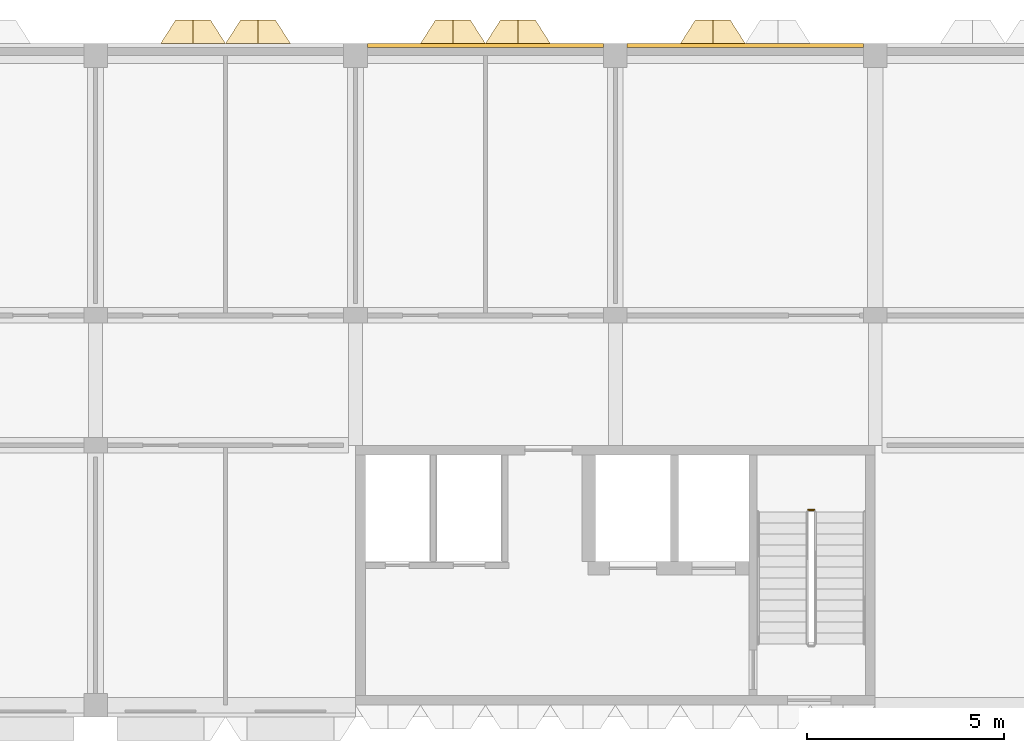
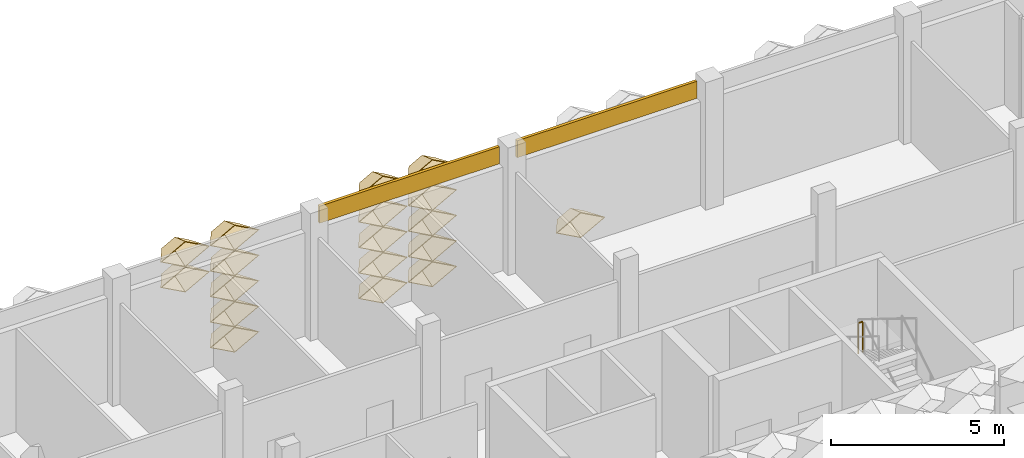
# One storey, part 95 of 102: 20 coverings, 1 railing.
"""IFC4 building model written with IfcOpenShell, lengths in metres."""

from ifc_helpers import new_model, entity, si_unit, direction, frame, frame_2d, origin, origin_2d, place, context, subcontext, project, spatial, rectangle, circle, extrude, material, layer, layer_set, type_object, element, save


model = new_model("IFC4")

# Units and contexts
model_context = context("Model", 3, precision=1e-05, world=origin(), true_north=direction((0.0, 1.0)))
body_context = subcontext(model_context, "Body", "Model", "MODEL_VIEW")
ifc_project = project(units=[si_unit("LENGTHUNIT", "METRE"), si_unit("AREAUNIT", "SQUARE_METRE"), si_unit("VOLUMEUNIT", "CUBIC_METRE"), si_unit("PLANEANGLEUNIT", "RADIAN"), si_unit("MASSUNIT", "GRAM", prefix="KILO")], contexts=[model_context])

# Site, building, storey
site_placement = place(None, origin())
site = spatial("IfcSite", under=ifc_project, at=site_placement, CompositionType="ELEMENT")
building_placement = place(site_placement, origin())
building = spatial("IfcBuilding", under=site, at=building_placement, Name="Lantern Court Research Institute", CompositionType="ELEMENT")
storey_placement = place(building_placement, frame((0.0, 0.0, 9.89990234375)))
storey = spatial("IfcBuildingStorey", under=building, at=storey_placement, Name="L02", CompositionType="ELEMENT", Elevation=9.89990234375)

# Coverings
ifc_material_1 = material(Name="Aluminium composite panel with mineral wool insulation", Category="aluminium")
ifc_layer_1 = layer(ifc_material_1, 0.10009765625)
ifc_layer_set_1 = layer_set([ifc_layer_1], Name="Aluminium composite panel with mineral wool insulation")
covering_type_1 = type_object("IfcCoveringType", Name="Edge fascia panel 100 aluminium faced", PredefinedType="CLADDING", material=ifc_layer_set_1)
for number, where, z_axis, x_axis, name in (
    (1, (39.89990234375, 99.25, 3.650146484375), (0.0, 0.0, 1.0), (1.0, 0.0, 0.0), "Edge fascia V6N L02 06"),
    (2, (46.5, 99.25, 3.650146484375), (0.0, 0.0, 1.0), (1.0, 0.0, 0.0), "Edge fascia V6N L02 07"),
):
    element("IfcCovering", number, at=place(storey_placement, frame(where, z_axis=z_axis, x_axis=x_axis)), inside=storey, type_object=covering_type_1, Name=name, PredefinedType="CLADDING", context=body_context, shape_type="SweptSolid", body=[
        extrude(rectangle(XDim=6.0, YDim=0.10009765625, at=frame_2d((3.0, 0.0))), origin(), (0.0, 0.0, 1.0), 0.599853515625),
    ])
ifc_material_2 = material(Name="Anodised aluminium", Category="aluminium")
ifc_layer_2 = layer(ifc_material_2, 0.01611328125)
ifc_layer_set_2 = layer_set([ifc_layer_2], Name="Anodised aluminium")
covering_type_2 = type_object("IfcCoveringType", Name="Fin cassette 1650 x 900 x 600 aluminium", PredefinedType="CLADDING", material=ifc_layer_set_2)
covering_1_placement = place(storey_placement, frame((37.125, 99.300048828125, 0.4501953125), z_axis=(0.0, 1.0, 0.0), x_axis=(-1.0, 0.0, 0.0)))
cartesian_point_1 = entity("IfcCartesianPoint", [0.824951171875, 0.0])
cartesian_point_2 = entity("IfcCartesianPoint", [0.79150390625, 0.0])
cartesian_point_3 = entity("IfcCartesianPoint", [0.44189453125, 0.0])
cartesian_point_4 = entity("IfcCartesianPoint", [0.43359375, 0.0])
element("IfcCovering", 3, at=covering_1_placement, inside=storey, type_object=covering_type_2, Name="Fin cassette V6N-L02 1.23", PredefinedType="CLADDING", context=body_context, shape_type="SweptSolid", body=[
    entity("IfcExtrudedAreaSolidTapered", entity("IfcArbitraryProfileDefWithVoids", "AREA", None, entity("IfcPolyline", [cartesian_point_1, entity("IfcCartesianPoint", [0.0, 0.449951171875]), entity("IfcCartesianPoint", [-0.824951171875, 0.0]), entity("IfcCartesianPoint", [0.0, -0.449951171875]), cartesian_point_1]), [entity("IfcPolyline", [cartesian_point_2, entity("IfcCartesianPoint", [0.0, 0.431884765625]), entity("IfcCartesianPoint", [-0.79150390625, 0.0]), entity("IfcCartesianPoint", [0.0, -0.431884765625]), cartesian_point_2])]), entity("IfcAxis2Placement3D", entity("IfcCartesianPoint", [0.0, 0.0, 0.0])), entity("IfcDirection", [0.0, 0.0, 1.0]), 0.60009765625, entity("IfcArbitraryProfileDefWithVoids", "AREA", None, entity("IfcPolyline", [cartesian_point_3, entity("IfcCartesianPoint", [0.0, 0.240966796875]), entity("IfcCartesianPoint", [-0.44189453125, 0.0]), entity("IfcCartesianPoint", [0.0, -0.240966796875]), cartesian_point_3]), [entity("IfcPolyline", [cartesian_point_4, entity("IfcCartesianPoint", [0.0, 0.236572265625]), entity("IfcCartesianPoint", [-0.43359375, 0.0]), entity("IfcCartesianPoint", [0.0, -0.236572265625]), cartesian_point_4])])),
])
covering_2_placement = place(storey_placement, frame((42.074951171875, 99.300048828125, 0.4501953125), z_axis=(0.0, 1.0, 0.0), x_axis=(-1.0, 0.0, 0.0)))
cartesian_point_5 = entity("IfcCartesianPoint", [0.824951171875, 0.0])
cartesian_point_6 = entity("IfcCartesianPoint", [0.79150390625, 0.0])
cartesian_point_7 = entity("IfcCartesianPoint", [0.44189453125, 0.0])
cartesian_point_8 = entity("IfcCartesianPoint", [0.43359375, 0.0])
element("IfcCovering", 4, at=covering_2_placement, inside=storey, type_object=covering_type_2, Name="Fin cassette V6N-L02 1.26", PredefinedType="CLADDING", context=body_context, shape_type="SweptSolid", body=[
    entity("IfcExtrudedAreaSolidTapered", entity("IfcArbitraryProfileDefWithVoids", "AREA", None, entity("IfcPolyline", [cartesian_point_5, entity("IfcCartesianPoint", [0.0, 0.449951171875]), entity("IfcCartesianPoint", [-0.824951171875, 0.0]), entity("IfcCartesianPoint", [0.0, -0.449951171875]), cartesian_point_5]), [entity("IfcPolyline", [cartesian_point_6, entity("IfcCartesianPoint", [0.0, 0.431884765625]), entity("IfcCartesianPoint", [-0.79150390625, 0.0]), entity("IfcCartesianPoint", [0.0, -0.431884765625]), cartesian_point_6])]), entity("IfcAxis2Placement3D", entity("IfcCartesianPoint", [0.0, 0.0, 0.0])), entity("IfcDirection", [0.0, 0.0, 1.0]), 0.60009765625, entity("IfcArbitraryProfileDefWithVoids", "AREA", None, entity("IfcPolyline", [cartesian_point_7, entity("IfcCartesianPoint", [0.0, 0.240966796875]), entity("IfcCartesianPoint", [-0.44189453125, 0.0]), entity("IfcCartesianPoint", [0.0, -0.240966796875]), cartesian_point_7]), [entity("IfcPolyline", [cartesian_point_8, entity("IfcCartesianPoint", [0.0, 0.236572265625]), entity("IfcCartesianPoint", [-0.43359375, 0.0]), entity("IfcCartesianPoint", [0.0, -0.236572265625]), cartesian_point_8])])),
])
covering_3_placement = place(storey_placement, frame((43.72509765625, 99.300048828125, 0.4501953125), z_axis=(0.0, 1.0, 0.0), x_axis=(-1.0, 0.0, 0.0)))
cartesian_point_9 = entity("IfcCartesianPoint", [0.824951171875, 0.0])
cartesian_point_10 = entity("IfcCartesianPoint", [0.79150390625, 0.0])
cartesian_point_11 = entity("IfcCartesianPoint", [0.44189453125, 0.0])
cartesian_point_12 = entity("IfcCartesianPoint", [0.43359375, 0.0])
element("IfcCovering", 5, at=covering_3_placement, inside=storey, type_object=covering_type_2, Name="Fin cassette V6N-L02 1.27", PredefinedType="CLADDING", context=body_context, shape_type="SweptSolid", body=[
    entity("IfcExtrudedAreaSolidTapered", entity("IfcArbitraryProfileDefWithVoids", "AREA", None, entity("IfcPolyline", [cartesian_point_9, entity("IfcCartesianPoint", [0.0, 0.449951171875]), entity("IfcCartesianPoint", [-0.824951171875, 0.0]), entity("IfcCartesianPoint", [0.0, -0.449951171875]), cartesian_point_9]), [entity("IfcPolyline", [cartesian_point_10, entity("IfcCartesianPoint", [0.0, 0.431884765625]), entity("IfcCartesianPoint", [-0.79150390625, 0.0]), entity("IfcCartesianPoint", [0.0, -0.431884765625]), cartesian_point_10])]), entity("IfcAxis2Placement3D", entity("IfcCartesianPoint", [0.0, 0.0, 0.0])), entity("IfcDirection", [0.0, 0.0, 1.0]), 0.60009765625, entity("IfcArbitraryProfileDefWithVoids", "AREA", None, entity("IfcPolyline", [cartesian_point_11, entity("IfcCartesianPoint", [0.0, 0.240966796875]), entity("IfcCartesianPoint", [-0.44189453125, 0.0]), entity("IfcCartesianPoint", [0.0, -0.240966796875]), cartesian_point_11]), [entity("IfcPolyline", [cartesian_point_12, entity("IfcCartesianPoint", [0.0, 0.236572265625]), entity("IfcCartesianPoint", [-0.43359375, 0.0]), entity("IfcCartesianPoint", [0.0, -0.236572265625]), cartesian_point_12])])),
])
covering_4_placement = place(storey_placement, frame((48.675048828125, 99.300048828125, 0.4501953125), z_axis=(0.0, 1.0, 0.0), x_axis=(-1.0, 0.0, 0.0)))
cartesian_point_13 = entity("IfcCartesianPoint", [0.824951171875, 0.0])
cartesian_point_14 = entity("IfcCartesianPoint", [0.79150390625, 0.0])
cartesian_point_15 = entity("IfcCartesianPoint", [0.44189453125, 0.0])
cartesian_point_16 = entity("IfcCartesianPoint", [0.43359375, 0.0])
element("IfcCovering", 6, at=covering_4_placement, inside=storey, type_object=covering_type_2, Name="Fin cassette V6N-L02 1.30", PredefinedType="CLADDING", context=body_context, shape_type="SweptSolid", body=[
    entity("IfcExtrudedAreaSolidTapered", entity("IfcArbitraryProfileDefWithVoids", "AREA", None, entity("IfcPolyline", [cartesian_point_13, entity("IfcCartesianPoint", [0.0, 0.449951171875]), entity("IfcCartesianPoint", [-0.824951171875, 0.0]), entity("IfcCartesianPoint", [0.0, -0.449951171875]), cartesian_point_13]), [entity("IfcPolyline", [cartesian_point_14, entity("IfcCartesianPoint", [0.0, 0.431884765625]), entity("IfcCartesianPoint", [-0.79150390625, 0.0]), entity("IfcCartesianPoint", [0.0, -0.431884765625]), cartesian_point_14])]), entity("IfcAxis2Placement3D", entity("IfcCartesianPoint", [0.0, 0.0, 0.0])), entity("IfcDirection", [0.0, 0.0, 1.0]), 0.60009765625, entity("IfcArbitraryProfileDefWithVoids", "AREA", None, entity("IfcPolyline", [cartesian_point_15, entity("IfcCartesianPoint", [0.0, 0.240966796875]), entity("IfcCartesianPoint", [-0.44189453125, 0.0]), entity("IfcCartesianPoint", [0.0, -0.240966796875]), cartesian_point_15]), [entity("IfcPolyline", [cartesian_point_16, entity("IfcCartesianPoint", [0.0, 0.236572265625]), entity("IfcCartesianPoint", [-0.43359375, 0.0]), entity("IfcCartesianPoint", [0.0, -0.236572265625]), cartesian_point_16])])),
])
covering_5_placement = place(storey_placement, frame((37.125, 99.300048828125, 1.35009765625), z_axis=(0.0, 1.0, 0.0), x_axis=(-1.0, 0.0, 0.0)))
cartesian_point_17 = entity("IfcCartesianPoint", [0.824951171875, 0.0])
cartesian_point_18 = entity("IfcCartesianPoint", [0.79150390625, 0.0])
cartesian_point_19 = entity("IfcCartesianPoint", [0.44189453125, 0.0])
cartesian_point_20 = entity("IfcCartesianPoint", [0.43359375, 0.0])
element("IfcCovering", 7, at=covering_5_placement, inside=storey, type_object=covering_type_2, Name="Fin cassette V6N-L02 2.23", PredefinedType="CLADDING", context=body_context, shape_type="SweptSolid", body=[
    entity("IfcExtrudedAreaSolidTapered", entity("IfcArbitraryProfileDefWithVoids", "AREA", None, entity("IfcPolyline", [cartesian_point_17, entity("IfcCartesianPoint", [0.0, 0.449951171875]), entity("IfcCartesianPoint", [-0.824951171875, 0.0]), entity("IfcCartesianPoint", [0.0, -0.449951171875]), cartesian_point_17]), [entity("IfcPolyline", [cartesian_point_18, entity("IfcCartesianPoint", [0.0, 0.431884765625]), entity("IfcCartesianPoint", [-0.79150390625, 0.0]), entity("IfcCartesianPoint", [0.0, -0.431884765625]), cartesian_point_18])]), entity("IfcAxis2Placement3D", entity("IfcCartesianPoint", [0.0, 0.0, 0.0])), entity("IfcDirection", [0.0, 0.0, 1.0]), 0.60009765625, entity("IfcArbitraryProfileDefWithVoids", "AREA", None, entity("IfcPolyline", [cartesian_point_19, entity("IfcCartesianPoint", [0.0, 0.240966796875]), entity("IfcCartesianPoint", [-0.44189453125, 0.0]), entity("IfcCartesianPoint", [0.0, -0.240966796875]), cartesian_point_19]), [entity("IfcPolyline", [cartesian_point_20, entity("IfcCartesianPoint", [0.0, 0.236572265625]), entity("IfcCartesianPoint", [-0.43359375, 0.0]), entity("IfcCartesianPoint", [0.0, -0.236572265625]), cartesian_point_20])])),
])
covering_6_placement = place(storey_placement, frame((42.074951171875, 99.300048828125, 1.35009765625), z_axis=(0.0, 1.0, 0.0), x_axis=(-1.0, 0.0, 0.0)))
cartesian_point_21 = entity("IfcCartesianPoint", [0.824951171875, 0.0])
cartesian_point_22 = entity("IfcCartesianPoint", [0.79150390625, 0.0])
cartesian_point_23 = entity("IfcCartesianPoint", [0.44189453125, 0.0])
cartesian_point_24 = entity("IfcCartesianPoint", [0.43359375, 0.0])
element("IfcCovering", 8, at=covering_6_placement, inside=storey, type_object=covering_type_2, Name="Fin cassette V6N-L02 2.26", PredefinedType="CLADDING", context=body_context, shape_type="SweptSolid", body=[
    entity("IfcExtrudedAreaSolidTapered", entity("IfcArbitraryProfileDefWithVoids", "AREA", None, entity("IfcPolyline", [cartesian_point_21, entity("IfcCartesianPoint", [0.0, 0.449951171875]), entity("IfcCartesianPoint", [-0.824951171875, 0.0]), entity("IfcCartesianPoint", [0.0, -0.449951171875]), cartesian_point_21]), [entity("IfcPolyline", [cartesian_point_22, entity("IfcCartesianPoint", [0.0, 0.431884765625]), entity("IfcCartesianPoint", [-0.79150390625, 0.0]), entity("IfcCartesianPoint", [0.0, -0.431884765625]), cartesian_point_22])]), entity("IfcAxis2Placement3D", entity("IfcCartesianPoint", [0.0, 0.0, 0.0])), entity("IfcDirection", [0.0, 0.0, 1.0]), 0.60009765625, entity("IfcArbitraryProfileDefWithVoids", "AREA", None, entity("IfcPolyline", [cartesian_point_23, entity("IfcCartesianPoint", [0.0, 0.240966796875]), entity("IfcCartesianPoint", [-0.44189453125, 0.0]), entity("IfcCartesianPoint", [0.0, -0.240966796875]), cartesian_point_23]), [entity("IfcPolyline", [cartesian_point_24, entity("IfcCartesianPoint", [0.0, 0.236572265625]), entity("IfcCartesianPoint", [-0.43359375, 0.0]), entity("IfcCartesianPoint", [0.0, -0.236572265625]), cartesian_point_24])])),
])
covering_7_placement = place(storey_placement, frame((43.72509765625, 99.300048828125, 1.35009765625), z_axis=(0.0, 1.0, 0.0), x_axis=(-1.0, 0.0, 0.0)))
cartesian_point_25 = entity("IfcCartesianPoint", [0.824951171875, 0.0])
cartesian_point_26 = entity("IfcCartesianPoint", [0.79150390625, 0.0])
cartesian_point_27 = entity("IfcCartesianPoint", [0.44189453125, 0.0])
cartesian_point_28 = entity("IfcCartesianPoint", [0.43359375, 0.0])
element("IfcCovering", 9, at=covering_7_placement, inside=storey, type_object=covering_type_2, Name="Fin cassette V6N-L02 2.27", PredefinedType="CLADDING", context=body_context, shape_type="SweptSolid", body=[
    entity("IfcExtrudedAreaSolidTapered", entity("IfcArbitraryProfileDefWithVoids", "AREA", None, entity("IfcPolyline", [cartesian_point_25, entity("IfcCartesianPoint", [0.0, 0.449951171875]), entity("IfcCartesianPoint", [-0.824951171875, 0.0]), entity("IfcCartesianPoint", [0.0, -0.449951171875]), cartesian_point_25]), [entity("IfcPolyline", [cartesian_point_26, entity("IfcCartesianPoint", [0.0, 0.431884765625]), entity("IfcCartesianPoint", [-0.79150390625, 0.0]), entity("IfcCartesianPoint", [0.0, -0.431884765625]), cartesian_point_26])]), entity("IfcAxis2Placement3D", entity("IfcCartesianPoint", [0.0, 0.0, 0.0])), entity("IfcDirection", [0.0, 0.0, 1.0]), 0.60009765625, entity("IfcArbitraryProfileDefWithVoids", "AREA", None, entity("IfcPolyline", [cartesian_point_27, entity("IfcCartesianPoint", [0.0, 0.240966796875]), entity("IfcCartesianPoint", [-0.44189453125, 0.0]), entity("IfcCartesianPoint", [0.0, -0.240966796875]), cartesian_point_27]), [entity("IfcPolyline", [cartesian_point_28, entity("IfcCartesianPoint", [0.0, 0.236572265625]), entity("IfcCartesianPoint", [-0.43359375, 0.0]), entity("IfcCartesianPoint", [0.0, -0.236572265625]), cartesian_point_28])])),
])
covering_8_placement = place(storey_placement, frame((37.125, 99.300048828125, 2.25), z_axis=(0.0, 1.0, 0.0), x_axis=(-1.0, 0.0, 0.0)))
cartesian_point_29 = entity("IfcCartesianPoint", [0.824951171875, 0.0])
cartesian_point_30 = entity("IfcCartesianPoint", [0.79150390625, 0.0])
cartesian_point_31 = entity("IfcCartesianPoint", [0.44189453125, 0.0])
cartesian_point_32 = entity("IfcCartesianPoint", [0.43359375, 0.0])
element("IfcCovering", 10, at=covering_8_placement, inside=storey, type_object=covering_type_2, Name="Fin cassette V6N-L02 3.23", PredefinedType="CLADDING", context=body_context, shape_type="SweptSolid", body=[
    entity("IfcExtrudedAreaSolidTapered", entity("IfcArbitraryProfileDefWithVoids", "AREA", None, entity("IfcPolyline", [cartesian_point_29, entity("IfcCartesianPoint", [0.0, 0.449951171875]), entity("IfcCartesianPoint", [-0.824951171875, 0.0]), entity("IfcCartesianPoint", [0.0, -0.449951171875]), cartesian_point_29]), [entity("IfcPolyline", [cartesian_point_30, entity("IfcCartesianPoint", [0.0, 0.431884765625]), entity("IfcCartesianPoint", [-0.79150390625, 0.0]), entity("IfcCartesianPoint", [0.0, -0.431884765625]), cartesian_point_30])]), entity("IfcAxis2Placement3D", entity("IfcCartesianPoint", [0.0, 0.0, 0.0])), entity("IfcDirection", [0.0, 0.0, 1.0]), 0.60009765625, entity("IfcArbitraryProfileDefWithVoids", "AREA", None, entity("IfcPolyline", [cartesian_point_31, entity("IfcCartesianPoint", [0.0, 0.240966796875]), entity("IfcCartesianPoint", [-0.44189453125, 0.0]), entity("IfcCartesianPoint", [0.0, -0.240966796875]), cartesian_point_31]), [entity("IfcPolyline", [cartesian_point_32, entity("IfcCartesianPoint", [0.0, 0.236572265625]), entity("IfcCartesianPoint", [-0.43359375, 0.0]), entity("IfcCartesianPoint", [0.0, -0.236572265625]), cartesian_point_32])])),
])
covering_9_placement = place(storey_placement, frame((42.074951171875, 99.300048828125, 2.25), z_axis=(0.0, 1.0, 0.0), x_axis=(-1.0, 0.0, 0.0)))
cartesian_point_33 = entity("IfcCartesianPoint", [0.824951171875, 0.0])
cartesian_point_34 = entity("IfcCartesianPoint", [0.79150390625, 0.0])
cartesian_point_35 = entity("IfcCartesianPoint", [0.44189453125, 0.0])
cartesian_point_36 = entity("IfcCartesianPoint", [0.43359375, 0.0])
element("IfcCovering", 11, at=covering_9_placement, inside=storey, type_object=covering_type_2, Name="Fin cassette V6N-L02 3.26", PredefinedType="CLADDING", context=body_context, shape_type="SweptSolid", body=[
    entity("IfcExtrudedAreaSolidTapered", entity("IfcArbitraryProfileDefWithVoids", "AREA", None, entity("IfcPolyline", [cartesian_point_33, entity("IfcCartesianPoint", [0.0, 0.449951171875]), entity("IfcCartesianPoint", [-0.824951171875, 0.0]), entity("IfcCartesianPoint", [0.0, -0.449951171875]), cartesian_point_33]), [entity("IfcPolyline", [cartesian_point_34, entity("IfcCartesianPoint", [0.0, 0.431884765625]), entity("IfcCartesianPoint", [-0.79150390625, 0.0]), entity("IfcCartesianPoint", [0.0, -0.431884765625]), cartesian_point_34])]), entity("IfcAxis2Placement3D", entity("IfcCartesianPoint", [0.0, 0.0, 0.0])), entity("IfcDirection", [0.0, 0.0, 1.0]), 0.60009765625, entity("IfcArbitraryProfileDefWithVoids", "AREA", None, entity("IfcPolyline", [cartesian_point_35, entity("IfcCartesianPoint", [0.0, 0.240966796875]), entity("IfcCartesianPoint", [-0.44189453125, 0.0]), entity("IfcCartesianPoint", [0.0, -0.240966796875]), cartesian_point_35]), [entity("IfcPolyline", [cartesian_point_36, entity("IfcCartesianPoint", [0.0, 0.236572265625]), entity("IfcCartesianPoint", [-0.43359375, 0.0]), entity("IfcCartesianPoint", [0.0, -0.236572265625]), cartesian_point_36])])),
])
covering_10_placement = place(storey_placement, frame((43.72509765625, 99.300048828125, 2.25), z_axis=(0.0, 1.0, 0.0), x_axis=(-1.0, 0.0, 0.0)))
cartesian_point_37 = entity("IfcCartesianPoint", [0.824951171875, 0.0])
cartesian_point_38 = entity("IfcCartesianPoint", [0.79150390625, 0.0])
cartesian_point_39 = entity("IfcCartesianPoint", [0.44189453125, 0.0])
cartesian_point_40 = entity("IfcCartesianPoint", [0.43359375, 0.0])
element("IfcCovering", 12, at=covering_10_placement, inside=storey, type_object=covering_type_2, Name="Fin cassette V6N-L02 3.27", PredefinedType="CLADDING", context=body_context, shape_type="SweptSolid", body=[
    entity("IfcExtrudedAreaSolidTapered", entity("IfcArbitraryProfileDefWithVoids", "AREA", None, entity("IfcPolyline", [cartesian_point_37, entity("IfcCartesianPoint", [0.0, 0.449951171875]), entity("IfcCartesianPoint", [-0.824951171875, 0.0]), entity("IfcCartesianPoint", [0.0, -0.449951171875]), cartesian_point_37]), [entity("IfcPolyline", [cartesian_point_38, entity("IfcCartesianPoint", [0.0, 0.431884765625]), entity("IfcCartesianPoint", [-0.79150390625, 0.0]), entity("IfcCartesianPoint", [0.0, -0.431884765625]), cartesian_point_38])]), entity("IfcAxis2Placement3D", entity("IfcCartesianPoint", [0.0, 0.0, 0.0])), entity("IfcDirection", [0.0, 0.0, 1.0]), 0.60009765625, entity("IfcArbitraryProfileDefWithVoids", "AREA", None, entity("IfcPolyline", [cartesian_point_39, entity("IfcCartesianPoint", [0.0, 0.240966796875]), entity("IfcCartesianPoint", [-0.44189453125, 0.0]), entity("IfcCartesianPoint", [0.0, -0.240966796875]), cartesian_point_39]), [entity("IfcPolyline", [cartesian_point_40, entity("IfcCartesianPoint", [0.0, 0.236572265625]), entity("IfcCartesianPoint", [-0.43359375, 0.0]), entity("IfcCartesianPoint", [0.0, -0.236572265625]), cartesian_point_40])])),
])
covering_11_placement = place(storey_placement, frame((35.47509765625, 99.300048828125, 3.150146484375), z_axis=(0.0, 1.0, 0.0), x_axis=(-1.0, 0.0, 0.0)))
cartesian_point_41 = entity("IfcCartesianPoint", [0.824951171875, 0.0])
cartesian_point_42 = entity("IfcCartesianPoint", [0.79150390625, 0.0])
cartesian_point_43 = entity("IfcCartesianPoint", [0.44189453125, 0.0])
cartesian_point_44 = entity("IfcCartesianPoint", [0.43359375, 0.0])
element("IfcCovering", 13, at=covering_11_placement, inside=storey, type_object=covering_type_2, Name="Fin cassette V6N-L02 4.22", PredefinedType="CLADDING", context=body_context, shape_type="SweptSolid", body=[
    entity("IfcExtrudedAreaSolidTapered", entity("IfcArbitraryProfileDefWithVoids", "AREA", None, entity("IfcPolyline", [cartesian_point_41, entity("IfcCartesianPoint", [0.0, 0.449951171875]), entity("IfcCartesianPoint", [-0.824951171875, 0.0]), entity("IfcCartesianPoint", [0.0, -0.449951171875]), cartesian_point_41]), [entity("IfcPolyline", [cartesian_point_42, entity("IfcCartesianPoint", [0.0, 0.431884765625]), entity("IfcCartesianPoint", [-0.79150390625, 0.0]), entity("IfcCartesianPoint", [0.0, -0.431884765625]), cartesian_point_42])]), entity("IfcAxis2Placement3D", entity("IfcCartesianPoint", [0.0, 0.0, 0.0])), entity("IfcDirection", [0.0, 0.0, 1.0]), 0.60009765625, entity("IfcArbitraryProfileDefWithVoids", "AREA", None, entity("IfcPolyline", [cartesian_point_43, entity("IfcCartesianPoint", [0.0, 0.240966796875]), entity("IfcCartesianPoint", [-0.44189453125, 0.0]), entity("IfcCartesianPoint", [0.0, -0.240966796875]), cartesian_point_43]), [entity("IfcPolyline", [cartesian_point_44, entity("IfcCartesianPoint", [0.0, 0.236572265625]), entity("IfcCartesianPoint", [-0.43359375, 0.0]), entity("IfcCartesianPoint", [0.0, -0.236572265625]), cartesian_point_44])])),
])
covering_12_placement = place(storey_placement, frame((37.125, 99.300048828125, 3.150146484375), z_axis=(0.0, 1.0, 0.0), x_axis=(-1.0, 0.0, 0.0)))
cartesian_point_45 = entity("IfcCartesianPoint", [0.824951171875, 0.0])
cartesian_point_46 = entity("IfcCartesianPoint", [0.79150390625, 0.0])
cartesian_point_47 = entity("IfcCartesianPoint", [0.44189453125, 0.0])
cartesian_point_48 = entity("IfcCartesianPoint", [0.43359375, 0.0])
element("IfcCovering", 14, at=covering_12_placement, inside=storey, type_object=covering_type_2, Name="Fin cassette V6N-L02 4.23", PredefinedType="CLADDING", context=body_context, shape_type="SweptSolid", body=[
    entity("IfcExtrudedAreaSolidTapered", entity("IfcArbitraryProfileDefWithVoids", "AREA", None, entity("IfcPolyline", [cartesian_point_45, entity("IfcCartesianPoint", [0.0, 0.449951171875]), entity("IfcCartesianPoint", [-0.824951171875, 0.0]), entity("IfcCartesianPoint", [0.0, -0.449951171875]), cartesian_point_45]), [entity("IfcPolyline", [cartesian_point_46, entity("IfcCartesianPoint", [0.0, 0.431884765625]), entity("IfcCartesianPoint", [-0.79150390625, 0.0]), entity("IfcCartesianPoint", [0.0, -0.431884765625]), cartesian_point_46])]), entity("IfcAxis2Placement3D", entity("IfcCartesianPoint", [0.0, 0.0, 0.0])), entity("IfcDirection", [0.0, 0.0, 1.0]), 0.60009765625, entity("IfcArbitraryProfileDefWithVoids", "AREA", None, entity("IfcPolyline", [cartesian_point_47, entity("IfcCartesianPoint", [0.0, 0.240966796875]), entity("IfcCartesianPoint", [-0.44189453125, 0.0]), entity("IfcCartesianPoint", [0.0, -0.240966796875]), cartesian_point_47]), [entity("IfcPolyline", [cartesian_point_48, entity("IfcCartesianPoint", [0.0, 0.236572265625]), entity("IfcCartesianPoint", [-0.43359375, 0.0]), entity("IfcCartesianPoint", [0.0, -0.236572265625]), cartesian_point_48])])),
])
covering_13_placement = place(storey_placement, frame((42.074951171875, 99.300048828125, 3.150146484375), z_axis=(0.0, 1.0, 0.0), x_axis=(-1.0, 0.0, 0.0)))
cartesian_point_49 = entity("IfcCartesianPoint", [0.824951171875, 0.0])
cartesian_point_50 = entity("IfcCartesianPoint", [0.79150390625, 0.0])
cartesian_point_51 = entity("IfcCartesianPoint", [0.44189453125, 0.0])
cartesian_point_52 = entity("IfcCartesianPoint", [0.43359375, 0.0])
element("IfcCovering", 15, at=covering_13_placement, inside=storey, type_object=covering_type_2, Name="Fin cassette V6N-L02 4.26", PredefinedType="CLADDING", context=body_context, shape_type="SweptSolid", body=[
    entity("IfcExtrudedAreaSolidTapered", entity("IfcArbitraryProfileDefWithVoids", "AREA", None, entity("IfcPolyline", [cartesian_point_49, entity("IfcCartesianPoint", [0.0, 0.449951171875]), entity("IfcCartesianPoint", [-0.824951171875, 0.0]), entity("IfcCartesianPoint", [0.0, -0.449951171875]), cartesian_point_49]), [entity("IfcPolyline", [cartesian_point_50, entity("IfcCartesianPoint", [0.0, 0.431884765625]), entity("IfcCartesianPoint", [-0.79150390625, 0.0]), entity("IfcCartesianPoint", [0.0, -0.431884765625]), cartesian_point_50])]), entity("IfcAxis2Placement3D", entity("IfcCartesianPoint", [0.0, 0.0, 0.0])), entity("IfcDirection", [0.0, 0.0, 1.0]), 0.60009765625, entity("IfcArbitraryProfileDefWithVoids", "AREA", None, entity("IfcPolyline", [cartesian_point_51, entity("IfcCartesianPoint", [0.0, 0.240966796875]), entity("IfcCartesianPoint", [-0.44189453125, 0.0]), entity("IfcCartesianPoint", [0.0, -0.240966796875]), cartesian_point_51]), [entity("IfcPolyline", [cartesian_point_52, entity("IfcCartesianPoint", [0.0, 0.236572265625]), entity("IfcCartesianPoint", [-0.43359375, 0.0]), entity("IfcCartesianPoint", [0.0, -0.236572265625]), cartesian_point_52])])),
])
covering_14_placement = place(storey_placement, frame((43.72509765625, 99.300048828125, 3.150146484375), z_axis=(0.0, 1.0, 0.0), x_axis=(-1.0, 0.0, 0.0)))
cartesian_point_53 = entity("IfcCartesianPoint", [0.824951171875, 0.0])
cartesian_point_54 = entity("IfcCartesianPoint", [0.79150390625, 0.0])
cartesian_point_55 = entity("IfcCartesianPoint", [0.44189453125, 0.0])
cartesian_point_56 = entity("IfcCartesianPoint", [0.43359375, 0.0])
element("IfcCovering", 16, at=covering_14_placement, inside=storey, type_object=covering_type_2, Name="Fin cassette V6N-L02 4.27", PredefinedType="CLADDING", context=body_context, shape_type="SweptSolid", body=[
    entity("IfcExtrudedAreaSolidTapered", entity("IfcArbitraryProfileDefWithVoids", "AREA", None, entity("IfcPolyline", [cartesian_point_53, entity("IfcCartesianPoint", [0.0, 0.449951171875]), entity("IfcCartesianPoint", [-0.824951171875, 0.0]), entity("IfcCartesianPoint", [0.0, -0.449951171875]), cartesian_point_53]), [entity("IfcPolyline", [cartesian_point_54, entity("IfcCartesianPoint", [0.0, 0.431884765625]), entity("IfcCartesianPoint", [-0.79150390625, 0.0]), entity("IfcCartesianPoint", [0.0, -0.431884765625]), cartesian_point_54])]), entity("IfcAxis2Placement3D", entity("IfcCartesianPoint", [0.0, 0.0, 0.0])), entity("IfcDirection", [0.0, 0.0, 1.0]), 0.60009765625, entity("IfcArbitraryProfileDefWithVoids", "AREA", None, entity("IfcPolyline", [cartesian_point_55, entity("IfcCartesianPoint", [0.0, 0.240966796875]), entity("IfcCartesianPoint", [-0.44189453125, 0.0]), entity("IfcCartesianPoint", [0.0, -0.240966796875]), cartesian_point_55]), [entity("IfcPolyline", [cartesian_point_56, entity("IfcCartesianPoint", [0.0, 0.236572265625]), entity("IfcCartesianPoint", [-0.43359375, 0.0]), entity("IfcCartesianPoint", [0.0, -0.236572265625]), cartesian_point_56])])),
])
covering_15_placement = place(storey_placement, frame((35.47509765625, 99.300048828125, 4.050048828125), z_axis=(0.0, 1.0, 0.0), x_axis=(-1.0, 0.0, 0.0)))
cartesian_point_57 = entity("IfcCartesianPoint", [0.824951171875, 0.0])
cartesian_point_58 = entity("IfcCartesianPoint", [0.79150390625, 0.0])
cartesian_point_59 = entity("IfcCartesianPoint", [0.44189453125, 0.0])
cartesian_point_60 = entity("IfcCartesianPoint", [0.43359375, 0.0])
element("IfcCovering", 17, at=covering_15_placement, inside=storey, type_object=covering_type_2, Name="Fin cassette V6N-L02 5.22", PredefinedType="CLADDING", context=body_context, shape_type="SweptSolid", body=[
    entity("IfcExtrudedAreaSolidTapered", entity("IfcArbitraryProfileDefWithVoids", "AREA", None, entity("IfcPolyline", [cartesian_point_57, entity("IfcCartesianPoint", [0.0, 0.449951171875]), entity("IfcCartesianPoint", [-0.824951171875, 0.0]), entity("IfcCartesianPoint", [0.0, -0.449951171875]), cartesian_point_57]), [entity("IfcPolyline", [cartesian_point_58, entity("IfcCartesianPoint", [0.0, 0.431884765625]), entity("IfcCartesianPoint", [-0.79150390625, 0.0]), entity("IfcCartesianPoint", [0.0, -0.431884765625]), cartesian_point_58])]), entity("IfcAxis2Placement3D", entity("IfcCartesianPoint", [0.0, 0.0, 0.0])), entity("IfcDirection", [0.0, 0.0, 1.0]), 0.60009765625, entity("IfcArbitraryProfileDefWithVoids", "AREA", None, entity("IfcPolyline", [cartesian_point_59, entity("IfcCartesianPoint", [0.0, 0.240966796875]), entity("IfcCartesianPoint", [-0.44189453125, 0.0]), entity("IfcCartesianPoint", [0.0, -0.240966796875]), cartesian_point_59]), [entity("IfcPolyline", [cartesian_point_60, entity("IfcCartesianPoint", [0.0, 0.236572265625]), entity("IfcCartesianPoint", [-0.43359375, 0.0]), entity("IfcCartesianPoint", [0.0, -0.236572265625]), cartesian_point_60])])),
])
covering_16_placement = place(storey_placement, frame((37.125, 99.300048828125, 4.050048828125), z_axis=(0.0, 1.0, 0.0), x_axis=(-1.0, 0.0, 0.0)))
cartesian_point_61 = entity("IfcCartesianPoint", [0.824951171875, 0.0])
cartesian_point_62 = entity("IfcCartesianPoint", [0.79150390625, 0.0])
cartesian_point_63 = entity("IfcCartesianPoint", [0.44189453125, 0.0])
cartesian_point_64 = entity("IfcCartesianPoint", [0.43359375, 0.0])
element("IfcCovering", 18, at=covering_16_placement, inside=storey, type_object=covering_type_2, Name="Fin cassette V6N-L02 5.23", PredefinedType="CLADDING", context=body_context, shape_type="SweptSolid", body=[
    entity("IfcExtrudedAreaSolidTapered", entity("IfcArbitraryProfileDefWithVoids", "AREA", None, entity("IfcPolyline", [cartesian_point_61, entity("IfcCartesianPoint", [0.0, 0.449951171875]), entity("IfcCartesianPoint", [-0.824951171875, 0.0]), entity("IfcCartesianPoint", [0.0, -0.449951171875]), cartesian_point_61]), [entity("IfcPolyline", [cartesian_point_62, entity("IfcCartesianPoint", [0.0, 0.431884765625]), entity("IfcCartesianPoint", [-0.79150390625, 0.0]), entity("IfcCartesianPoint", [0.0, -0.431884765625]), cartesian_point_62])]), entity("IfcAxis2Placement3D", entity("IfcCartesianPoint", [0.0, 0.0, 0.0])), entity("IfcDirection", [0.0, 0.0, 1.0]), 0.60009765625, entity("IfcArbitraryProfileDefWithVoids", "AREA", None, entity("IfcPolyline", [cartesian_point_63, entity("IfcCartesianPoint", [0.0, 0.240966796875]), entity("IfcCartesianPoint", [-0.44189453125, 0.0]), entity("IfcCartesianPoint", [0.0, -0.240966796875]), cartesian_point_63]), [entity("IfcPolyline", [cartesian_point_64, entity("IfcCartesianPoint", [0.0, 0.236572265625]), entity("IfcCartesianPoint", [-0.43359375, 0.0]), entity("IfcCartesianPoint", [0.0, -0.236572265625]), cartesian_point_64])])),
])
covering_17_placement = place(storey_placement, frame((42.074951171875, 99.300048828125, 4.050048828125), z_axis=(0.0, 1.0, 0.0), x_axis=(-1.0, 0.0, 0.0)))
cartesian_point_65 = entity("IfcCartesianPoint", [0.824951171875, 0.0])
cartesian_point_66 = entity("IfcCartesianPoint", [0.79150390625, 0.0])
cartesian_point_67 = entity("IfcCartesianPoint", [0.44189453125, 0.0])
cartesian_point_68 = entity("IfcCartesianPoint", [0.43359375, 0.0])
element("IfcCovering", 19, at=covering_17_placement, inside=storey, type_object=covering_type_2, Name="Fin cassette V6N-L02 5.26", PredefinedType="CLADDING", context=body_context, shape_type="SweptSolid", body=[
    entity("IfcExtrudedAreaSolidTapered", entity("IfcArbitraryProfileDefWithVoids", "AREA", None, entity("IfcPolyline", [cartesian_point_65, entity("IfcCartesianPoint", [0.0, 0.449951171875]), entity("IfcCartesianPoint", [-0.824951171875, 0.0]), entity("IfcCartesianPoint", [0.0, -0.449951171875]), cartesian_point_65]), [entity("IfcPolyline", [cartesian_point_66, entity("IfcCartesianPoint", [0.0, 0.431884765625]), entity("IfcCartesianPoint", [-0.79150390625, 0.0]), entity("IfcCartesianPoint", [0.0, -0.431884765625]), cartesian_point_66])]), entity("IfcAxis2Placement3D", entity("IfcCartesianPoint", [0.0, 0.0, 0.0])), entity("IfcDirection", [0.0, 0.0, 1.0]), 0.60009765625, entity("IfcArbitraryProfileDefWithVoids", "AREA", None, entity("IfcPolyline", [cartesian_point_67, entity("IfcCartesianPoint", [0.0, 0.240966796875]), entity("IfcCartesianPoint", [-0.44189453125, 0.0]), entity("IfcCartesianPoint", [0.0, -0.240966796875]), cartesian_point_67]), [entity("IfcPolyline", [cartesian_point_68, entity("IfcCartesianPoint", [0.0, 0.236572265625]), entity("IfcCartesianPoint", [-0.43359375, 0.0]), entity("IfcCartesianPoint", [0.0, -0.236572265625]), cartesian_point_68])])),
])
covering_18_placement = place(storey_placement, frame((43.72509765625, 99.300048828125, 4.050048828125), z_axis=(0.0, 1.0, 0.0), x_axis=(-1.0, 0.0, 0.0)))
cartesian_point_69 = entity("IfcCartesianPoint", [0.824951171875, 0.0])
cartesian_point_70 = entity("IfcCartesianPoint", [0.79150390625, 0.0])
cartesian_point_71 = entity("IfcCartesianPoint", [0.44189453125, 0.0])
cartesian_point_72 = entity("IfcCartesianPoint", [0.43359375, 0.0])
element("IfcCovering", 20, at=covering_18_placement, inside=storey, type_object=covering_type_2, Name="Fin cassette V6N-L02 5.27", PredefinedType="CLADDING", context=body_context, shape_type="SweptSolid", body=[
    entity("IfcExtrudedAreaSolidTapered", entity("IfcArbitraryProfileDefWithVoids", "AREA", None, entity("IfcPolyline", [cartesian_point_69, entity("IfcCartesianPoint", [0.0, 0.449951171875]), entity("IfcCartesianPoint", [-0.824951171875, 0.0]), entity("IfcCartesianPoint", [0.0, -0.449951171875]), cartesian_point_69]), [entity("IfcPolyline", [cartesian_point_70, entity("IfcCartesianPoint", [0.0, 0.431884765625]), entity("IfcCartesianPoint", [-0.79150390625, 0.0]), entity("IfcCartesianPoint", [0.0, -0.431884765625]), cartesian_point_70])]), entity("IfcAxis2Placement3D", entity("IfcCartesianPoint", [0.0, 0.0, 0.0])), entity("IfcDirection", [0.0, 0.0, 1.0]), 0.60009765625, entity("IfcArbitraryProfileDefWithVoids", "AREA", None, entity("IfcPolyline", [cartesian_point_71, entity("IfcCartesianPoint", [0.0, 0.240966796875]), entity("IfcCartesianPoint", [-0.44189453125, 0.0]), entity("IfcCartesianPoint", [0.0, -0.240966796875]), cartesian_point_71]), [entity("IfcPolyline", [cartesian_point_72, entity("IfcCartesianPoint", [0.0, 0.236572265625]), entity("IfcCartesianPoint", [-0.43359375, 0.0]), entity("IfcCartesianPoint", [0.0, -0.236572265625]), cartesian_point_72])])),
])

# Railing
ifc_material_3 = material(Name="Structural steel S355", Category="steel")
railing_type = type_object("IfcRailingType", Name="Stair guard 1100 steel", PredefinedType="GUARDRAIL", material=ifc_material_3)
railing_placement = place(storey_placement, frame((51.25, 87.4599609375, 2.25)))
element("IfcRailing", 21, at=railing_placement, inside=storey, type_object=railing_type, Name="L02 ST-W2 stair guard 2", PredefinedType="GUARDRAIL", context=body_context, shape_type="SweptSolid", body=[
    extrude(circle(Radius=0.02392578125, at=origin_2d()), frame((0.0, 0.0, 1.076171875), z_axis=(-1.0, 0.0, 0.0), x_axis=(0.0, -1.0, 0.0)), (0.0, 0.0, 1.0), 0.14990234375),
    extrude(circle(Radius=0.02099609375, at=origin_2d()), origin(), (0.0, 0.0, 1.0), 1.052001953125),
    extrude(circle(Radius=0.02099609375, at=origin_2d()), frame((-0.14990234375, 0.0, 0.0)), (0.0, 0.0, 1.0), 1.052001953125),
])

save(model, "model.ifc")
